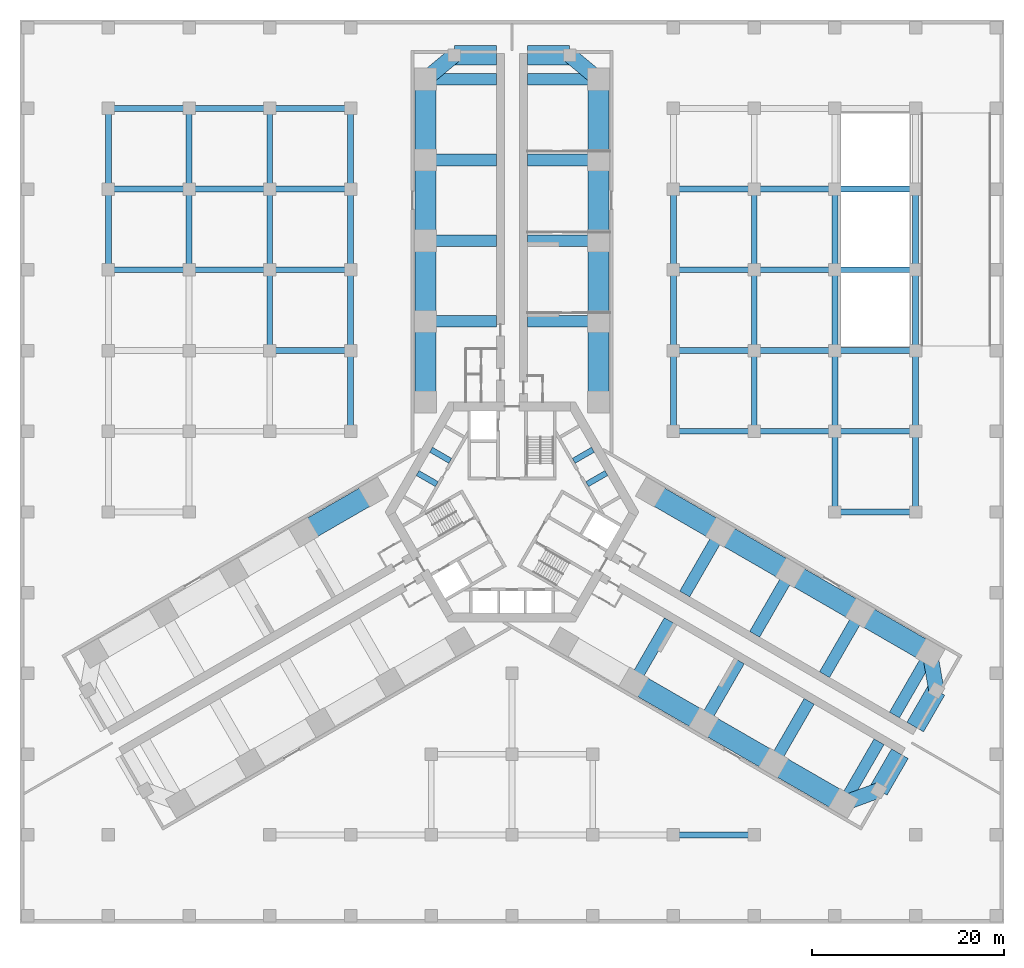
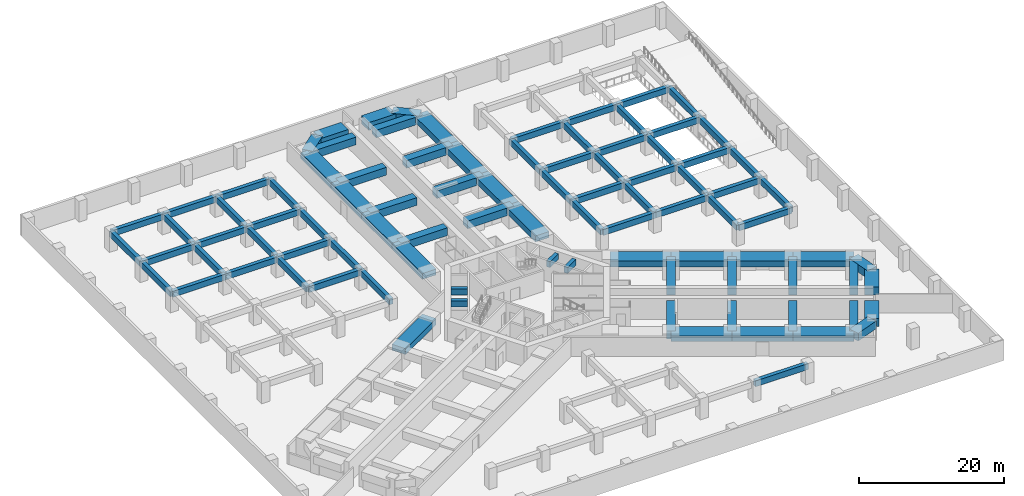
# One storey, part 2 of 11: 93 beams.
"""IFC4 building model written with IfcOpenShell, lengths in metres."""

from ifc_helpers import new_model, si_unit, direction, frame, origin, origin_2d, place, context, subcontext, project, spatial, rectangle, extrude, material, material_profile, profile_set, type_object, element, save


model = new_model("IFC4")

# Units and contexts
model_context = context("Model", 3, precision=1e-05, world=origin(), true_north=direction((0.0, 1.0)))
body_context = subcontext(model_context, "Body", "Model", "MODEL_VIEW")
ifc_project = project(units=[si_unit("LENGTHUNIT", "METRE"), si_unit("AREAUNIT", "SQUARE_METRE"), si_unit("VOLUMEUNIT", "CUBIC_METRE"), si_unit("PLANEANGLEUNIT", "RADIAN"), si_unit("MASSUNIT", "GRAM", prefix="KILO")], contexts=[model_context])

# Site, building, storey
site_placement = place(None, origin())
site = spatial("IfcSite", under=ifc_project, at=site_placement, CompositionType="ELEMENT")
building_placement = place(site_placement, origin())
building = spatial("IfcBuilding", under=site, at=building_placement, Name="Impinga Residences", CompositionType="ELEMENT")
storey_placement = place(building_placement, frame((0.0, 0.0, -7.0)))
storey = spatial("IfcBuildingStorey", under=building, at=storey_placement, Name="B2", CompositionType="ELEMENT", Elevation=-7.0)

# Beams
ifc_material = material(Name="Concrete C60/75", Category="concrete")
ifc_material_profile_1 = material_profile(ifc_material, rectangle(XDim=1.60009765625, YDim=1.300048828125, at=origin_2d()), Name="RC 1600x1300")
ifc_profile_set_1 = profile_set([ifc_material_profile_1], Name="Concrete C60/75")
beam_type_1 = type_object("IfcBeamType", Name="CB4 1600x1300 wing end beam to the wing-tip prop", PredefinedType="BEAM", material=ifc_profile_set_1)
for number, where, z_axis, x_axis, name in (
    (1, (-9.0, 45.031494140625, 2.550048828125), (0.768221279597, 0.640184399664, 0.0), (-0.640184399664, 0.768221279597, 0.0), "Beam CB4 NB N5-NX level B1"),
    (2, (9.0, 45.031494140625, 2.550048828125), (-0.768221279597, 0.640184399664, 0.0), (-0.640184399664, -0.768221279597, 0.0), "Beam CB4 NE N5-NX level B1"),
):
    element("IfcBeam", number, at=place(storey_placement, frame(where, z_axis=z_axis, x_axis=x_axis)), inside=storey, type_object=beam_type_1, Name=name, PredefinedType="BEAM", context=body_context, shape_type="SweptSolid", body=[
        extrude(rectangle(XDim=1.60009765625, YDim=1.300048828125, at=origin_2d()), origin(), (0.0, 0.0, 1.0), 3.905029296875),
    ])
beam_1_placement = place(storey_placement, frame((43.49853515625, -14.721435546875, 2.550048828125), z_axis=(0.170296298948, -0.985392901621, 0.0), x_axis=(0.985392901621, 0.170296298948, 0.0)))
element("IfcBeam", 3, at=beam_1_placement, inside=storey, type_object=beam_type_1, Name="Beam CB4 EB E5-EX level B1", PredefinedType="BEAM", context=body_context, shape_type="SweptSolid", body=[
    extrude(rectangle(XDim=1.60009765625, YDim=1.300048828125, at=origin_2d()), origin(), (0.0, 0.0, 1.0), 3.9052734375),
])
beam_2_placement = place(storey_placement, frame((34.49853515625, -30.31005859375, 2.550048828125), z_axis=(0.938520178725, 0.345224382289, 0.0), x_axis=(-0.345224382289, 0.938520178725, 0.0)))
element("IfcBeam", 4, at=beam_2_placement, inside=storey, type_object=beam_type_1, Name="Beam CB4 EE E5-EX level B1", PredefinedType="BEAM", context=body_context, shape_type="SweptSolid", body=[
    extrude(rectangle(XDim=1.60009765625, YDim=1.300048828125, at=origin_2d()), origin(), (0.0, 0.0, 1.0), 3.905029296875),
])
ifc_material_profile_2 = material_profile(ifc_material, rectangle(XDim=1.199951171875, YDim=1.300048828125, at=origin_2d()), Name="RC 1200x1300")
ifc_profile_set_2 = profile_set([ifc_material_profile_2], Name="Concrete C60/75")
beam_type_2 = type_object("IfcBeamType", Name="CG2 1200x1300 cross girder on a wing bay line", PredefinedType="BEAM", material=ifc_profile_set_2)
for number, where, z_axis, x_axis, name in (
    (5, (-1.60009765625, 19.83154296875, 2.550048828125), (-1.0, 0.0, 0.0), (0.0, -1.0, 0.0), "Beam CG2 N2 NC/NA level B1"),
    (6, (-1.60009765625, 28.2314453125, 2.550048828125), (-1.0, 0.0, 0.0), (0.0, -1.0, 0.0), "Beam CG2 N3 NC/NA level B1"),
    (7, (-1.60009765625, 36.631591796875, 2.550048828125), (-1.0, 0.0, 0.0), (0.0, -1.0, 0.0), "Beam CG2 N4 NC/NA level B1"),
    (8, (-1.60009765625, 45.031494140625, 2.550048828125), (-1.0, 0.0, 0.0), (0.0, -1.0, 0.0), "Beam CG2 N5 NC/NA level B1"),
    (9, (1.60009765625, 19.83154296875, 2.550048828125), (1.0, 0.0, 0.0), (0.0, 1.0, 0.0), "Beam CG2 N2 NC/NF level B1"),
    (10, (1.60009765625, 28.2314453125, 2.550048828125), (1.0, 0.0, 0.0), (0.0, 1.0, 0.0), "Beam CG2 N3 NC/NF level B1"),
    (11, (1.60009765625, 36.631591796875, 2.550048828125), (1.0, 0.0, 0.0), (0.0, 1.0, 0.0), "Beam CG2 N4 NC/NF level B1"),
    (12, (1.60009765625, 45.031494140625, 2.550048828125), (1.0, 0.0, 0.0), (0.0, 1.0, 0.0), "Beam CG2 N5 NC/NF level B1"),
    (13, (17.974609375, -8.530029296875, 2.550048828125), (0.500003285667, 0.866023506795, 0.0), (-0.866023506795, 0.500003285667, 0.0), "Beam CG2 E2 EC/EA level B1"),
):
    element("IfcBeam", number, at=place(storey_placement, frame(where, z_axis=z_axis, x_axis=x_axis)), inside=storey, type_object=beam_type_2, Name=name, PredefinedType="BEAM", context=body_context, shape_type="SweptSolid", body=[
        extrude(rectangle(XDim=1.199951171875, YDim=1.300048828125, at=origin_2d()), origin(), (0.0, 0.0, 1.0), 7.39990234375),
    ])
for number, where, z_axis, x_axis, name in (
    (14, (25.249267578125, -12.730224609375, 2.550048828125), (0.499988999718, 0.866031754707, 0.0), (-0.866031754707, 0.499988999718, 0.0), "Beam CG2 E3 EC/EA level B1"),
    (15, (32.52392578125, -16.93017578125, 2.550048828125), (0.499988999718, 0.866031754707, 0.0), (-0.866031754707, 0.499988999718, 0.0), "Beam CG2 E4 EC/EA level B1"),
    (16, (39.79833984375, -21.130126953125, 2.550048828125), (0.500013743233, 0.86601746898, 0.0), (-0.86601746898, 0.500013743233, 0.0), "Beam CG2 E5 EC/EA level B1"),
):
    element("IfcBeam", number, at=place(storey_placement, frame(where, z_axis=z_axis, x_axis=x_axis)), inside=storey, type_object=beam_type_2, Name=name, PredefinedType="BEAM", context=body_context, shape_type="SweptSolid", body=[
        extrude(rectangle(XDim=1.199951171875, YDim=1.300048828125, at=origin_2d()), origin(), (0.0, 0.0, 1.0), 7.400146484375),
    ])
for number, where, z_axis, x_axis, name in (
    (17, (16.37451171875, -11.301513671875, 2.550048828125), (-0.500003285667, -0.866023506795, 0.0), (0.866023506795, -0.500003285667, 0.0), "Beam CG2 E2 EC/EF level B1"),
    (18, (23.649169921875, -15.50146484375, 2.550048828125), (-0.500003285667, -0.866023506795, 0.0), (0.866023506795, -0.500003285667, 0.0), "Beam CG2 E3 EC/EF level B1"),
):
    element("IfcBeam", number, at=place(storey_placement, frame(where, z_axis=z_axis, x_axis=x_axis)), inside=storey, type_object=beam_type_2, Name=name, PredefinedType="BEAM", context=body_context, shape_type="SweptSolid", body=[
        extrude(rectangle(XDim=1.199951171875, YDim=1.300048828125, at=origin_2d()), origin(), (0.0, 0.0, 1.0), 7.39990234375),
    ])
for number, where, z_axis, x_axis, name in (
    (19, (30.923828125, -19.701416015625, 2.550048828125), (-0.499988999718, -0.866031754707, 0.0), (0.866031754707, -0.499988999718, 0.0), "Beam CG2 E4 EC/EF level B1"),
    (20, (38.198486328125, -23.9013671875, 2.550048828125), (-0.499988999718, -0.866031754707, 0.0), (0.866031754707, -0.499988999718, 0.0), "Beam CG2 E5 EC/EF level B1"),
):
    element("IfcBeam", number, at=place(storey_placement, frame(where, z_axis=z_axis, x_axis=x_axis)), inside=storey, type_object=beam_type_2, Name=name, PredefinedType="BEAM", context=body_context, shape_type="SweptSolid", body=[
        extrude(rectangle(XDim=1.199951171875, YDim=1.300048828125, at=origin_2d()), origin(), (0.0, 0.0, 1.0), 7.400146484375),
    ])
ifc_material_profile_3 = material_profile(ifc_material, rectangle(XDim=2.0, YDim=1.300048828125, at=origin_2d()), Name="RC 2000x1300")
ifc_profile_set_3 = profile_set([ifc_material_profile_3], Name="Concrete C60/75")
beam_type_3 = type_object("IfcBeamType", Name="EB4 2000x1300 wing end beam", PredefinedType="BEAM", material=ifc_profile_set_3)
for number, where, z_axis, x_axis, name in (
    (21, (-6.0, 47.531494140625, 2.550048828125), (1.0, 0.0, 0.0), (0.0, 1.0, 0.0), "Beam EB4 NX4 level B1"),
    (22, (1.60009765625, 47.531494140625, 2.550048828125), (1.0, 0.0, 0.0), (0.0, 1.0, 0.0), "Beam EB4 NX4 level B1"),
    (23, (44.16357421875, -18.569580078125, 2.550048828125), (-0.499988222896, -0.866032203192, 0.0), (0.866032203192, -0.499988222896, 0.0), "Beam EB4 EX4 level B1"),
    (24, (40.363525390625, -25.1513671875, 2.550048828125), (-0.499988222896, -0.866032203192, 0.0), (0.866032203192, -0.499988222896, 0.0), "Beam EB4 EX4 level B1"),
):
    element("IfcBeam", number, at=place(storey_placement, frame(where, z_axis=z_axis, x_axis=x_axis)), inside=storey, type_object=beam_type_3, Name=name, PredefinedType="BEAM", context=body_context, shape_type="SweptSolid", body=[
        extrude(rectangle(XDim=2.0, YDim=1.300048828125, at=origin_2d()), origin(), (0.0, 0.0, 1.0), 4.39990234375),
    ])
ifc_material_profile_4 = material_profile(ifc_material, rectangle(XDim=0.60009765625, YDim=1.0, at=origin_2d()), Name="RC 600x1000")
ifc_profile_set_4 = profile_set([ifc_material_profile_4], Name="Concrete C60/75")
beam_type_4 = type_object("IfcBeamType", Name="PB1 600x1000 basement and ground floor beam", PredefinedType="BEAM", material=ifc_profile_set_4)
for number, where, z_axis, x_axis, name in (
    (25, (16.800048828125, -33.60009765625, 2.699951171875), (1.0, 0.0, 0.0), (0.0, 1.0, 0.0), "Beam PB1 B/9-10 level B1"),
    (26, (33.60009765625, 0.0, 2.699951171875), (1.0, 0.0, 0.0), (0.0, 1.0, 0.0), "Beam PB1 F/11-12 level B1"),
    (27, (16.800048828125, 8.39990234375, 2.699951171875), (1.0, 0.0, 0.0), (0.0, 1.0, 0.0), "Beam PB1 G/9-10 level B1"),
):
    element("IfcBeam", number, at=place(storey_placement, frame(where, z_axis=z_axis, x_axis=x_axis)), inside=storey, type_object=beam_type_4, Name=name, PredefinedType="BEAM", context=body_context, shape_type="SweptSolid", body=[
        extrude(rectangle(XDim=0.60009765625, YDim=1.0, at=origin_2d()), origin(), (0.0, 0.0, 1.0), 8.39990234375),
    ])
beam_3_placement = place(storey_placement, frame((25.199951171875, 8.39990234375, 2.699951171875), z_axis=(1.0, 0.0, 0.0), x_axis=(0.0, 1.0, 0.0)))
element("IfcBeam", 28, at=beam_3_placement, inside=storey, type_object=beam_type_4, Name="Beam PB1 G/10-11 level B1", PredefinedType="BEAM", context=body_context, shape_type="SweptSolid", body=[
    extrude(rectangle(XDim=0.60009765625, YDim=1.0, at=origin_2d()), origin(), (0.0, 0.0, 1.0), 8.400146484375),
])
for number, where, z_axis, x_axis, name in (
    (29, (33.60009765625, 8.39990234375, 2.699951171875), (1.0, 0.0, 0.0), (0.0, 1.0, 0.0), "Beam PB1 G/11-12 level B1"),
    (30, (-25.199951171875, 16.800048828125, 2.699951171875), (1.0, 0.0, 0.0), (0.0, 1.0, 0.0), "Beam PB1 H/4-5 level B1"),
    (31, (16.800048828125, 16.800048828125, 2.699951171875), (1.0, 0.0, 0.0), (0.0, 1.0, 0.0), "Beam PB1 H/9-10 level B1"),
):
    element("IfcBeam", number, at=place(storey_placement, frame(where, z_axis=z_axis, x_axis=x_axis)), inside=storey, type_object=beam_type_4, Name=name, PredefinedType="BEAM", context=body_context, shape_type="SweptSolid", body=[
        extrude(rectangle(XDim=0.60009765625, YDim=1.0, at=origin_2d()), origin(), (0.0, 0.0, 1.0), 8.39990234375),
    ])
beam_4_placement = place(storey_placement, frame((25.199951171875, 16.800048828125, 2.699951171875), z_axis=(1.0, 0.0, 0.0), x_axis=(0.0, 1.0, 0.0)))
element("IfcBeam", 32, at=beam_4_placement, inside=storey, type_object=beam_type_4, Name="Beam PB1 H/10-11 level B1", PredefinedType="BEAM", context=body_context, shape_type="SweptSolid", body=[
    extrude(rectangle(XDim=0.60009765625, YDim=1.0, at=origin_2d()), origin(), (0.0, 0.0, 1.0), 8.400146484375),
])
for number, where, z_axis, x_axis, name in (
    (33, (33.60009765625, 16.800048828125, 2.699951171875), (1.0, 0.0, 0.0), (0.0, 1.0, 0.0), "Beam PB1 H/11-12 level B1"),
    (34, (-42.0, 25.199951171875, 2.699951171875), (1.0, 0.0, 0.0), (0.0, 1.0, 0.0), "Beam PB1 J/2-3 level B1"),
):
    element("IfcBeam", number, at=place(storey_placement, frame(where, z_axis=z_axis, x_axis=x_axis)), inside=storey, type_object=beam_type_4, Name=name, PredefinedType="BEAM", context=body_context, shape_type="SweptSolid", body=[
        extrude(rectangle(XDim=0.60009765625, YDim=1.0, at=origin_2d()), origin(), (0.0, 0.0, 1.0), 8.39990234375),
    ])
beam_5_placement = place(storey_placement, frame((-33.60009765625, 25.199951171875, 2.699951171875), z_axis=(1.0, 0.0, 0.0), x_axis=(0.0, 1.0, 0.0)))
element("IfcBeam", 35, at=beam_5_placement, inside=storey, type_object=beam_type_4, Name="Beam PB1 J/3-4 level B1", PredefinedType="BEAM", context=body_context, shape_type="SweptSolid", body=[
    extrude(rectangle(XDim=0.60009765625, YDim=1.0, at=origin_2d()), origin(), (0.0, 0.0, 1.0), 8.400146484375),
])
for number, where, z_axis, x_axis, name in (
    (36, (-25.199951171875, 25.199951171875, 2.699951171875), (1.0, 0.0, 0.0), (0.0, 1.0, 0.0), "Beam PB1 J/4-5 level B1"),
    (37, (16.800048828125, 25.199951171875, 2.699951171875), (1.0, 0.0, 0.0), (0.0, 1.0, 0.0), "Beam PB1 J/9-10 level B1"),
):
    element("IfcBeam", number, at=place(storey_placement, frame(where, z_axis=z_axis, x_axis=x_axis)), inside=storey, type_object=beam_type_4, Name=name, PredefinedType="BEAM", context=body_context, shape_type="SweptSolid", body=[
        extrude(rectangle(XDim=0.60009765625, YDim=1.0, at=origin_2d()), origin(), (0.0, 0.0, 1.0), 8.39990234375),
    ])
beam_6_placement = place(storey_placement, frame((25.199951171875, 25.199951171875, 2.699951171875), z_axis=(1.0, 0.0, 0.0), x_axis=(0.0, 1.0, 0.0)))
element("IfcBeam", 38, at=beam_6_placement, inside=storey, type_object=beam_type_4, Name="Beam PB1 J/10-11 level B1", PredefinedType="BEAM", context=body_context, shape_type="SweptSolid", body=[
    extrude(rectangle(XDim=0.60009765625, YDim=1.0, at=origin_2d()), origin(), (0.0, 0.0, 1.0), 8.400146484375),
])
for number, where, z_axis, x_axis, name in (
    (39, (33.60009765625, 25.199951171875, 2.699951171875), (1.0, 0.0, 0.0), (0.0, 1.0, 0.0), "Beam PB1 J/11-12 level B1"),
    (40, (-42.0, 33.60009765625, 2.699951171875), (1.0, 0.0, 0.0), (0.0, 1.0, 0.0), "Beam PB1 K/2-3 level B1"),
):
    element("IfcBeam", number, at=place(storey_placement, frame(where, z_axis=z_axis, x_axis=x_axis)), inside=storey, type_object=beam_type_4, Name=name, PredefinedType="BEAM", context=body_context, shape_type="SweptSolid", body=[
        extrude(rectangle(XDim=0.60009765625, YDim=1.0, at=origin_2d()), origin(), (0.0, 0.0, 1.0), 8.39990234375),
    ])
beam_7_placement = place(storey_placement, frame((-33.60009765625, 33.60009765625, 2.699951171875), z_axis=(1.0, 0.0, 0.0), x_axis=(0.0, 1.0, 0.0)))
element("IfcBeam", 41, at=beam_7_placement, inside=storey, type_object=beam_type_4, Name="Beam PB1 K/3-4 level B1", PredefinedType="BEAM", context=body_context, shape_type="SweptSolid", body=[
    extrude(rectangle(XDim=0.60009765625, YDim=1.0, at=origin_2d()), origin(), (0.0, 0.0, 1.0), 8.400146484375),
])
for number, where, z_axis, x_axis, name in (
    (42, (-25.199951171875, 33.60009765625, 2.699951171875), (1.0, 0.0, 0.0), (0.0, 1.0, 0.0), "Beam PB1 K/4-5 level B1"),
    (43, (16.800048828125, 33.60009765625, 2.699951171875), (1.0, 0.0, 0.0), (0.0, 1.0, 0.0), "Beam PB1 K/9-10 level B1"),
):
    element("IfcBeam", number, at=place(storey_placement, frame(where, z_axis=z_axis, x_axis=x_axis)), inside=storey, type_object=beam_type_4, Name=name, PredefinedType="BEAM", context=body_context, shape_type="SweptSolid", body=[
        extrude(rectangle(XDim=0.60009765625, YDim=1.0, at=origin_2d()), origin(), (0.0, 0.0, 1.0), 8.39990234375),
    ])
beam_8_placement = place(storey_placement, frame((25.199951171875, 33.60009765625, 2.699951171875), z_axis=(1.0, 0.0, 0.0), x_axis=(0.0, 1.0, 0.0)))
element("IfcBeam", 44, at=beam_8_placement, inside=storey, type_object=beam_type_4, Name="Beam PB1 K/10-11 level B1", PredefinedType="BEAM", context=body_context, shape_type="SweptSolid", body=[
    extrude(rectangle(XDim=0.60009765625, YDim=1.0, at=origin_2d()), origin(), (0.0, 0.0, 1.0), 8.400146484375),
])
for number, where, z_axis, x_axis, name in (
    (45, (33.60009765625, 33.60009765625, 2.699951171875), (1.0, 0.0, 0.0), (0.0, 1.0, 0.0), "Beam PB1 K/11-12 level B1"),
    (46, (-42.0, 42.0, 2.699951171875), (1.0, 0.0, 0.0), (0.0, 1.0, 0.0), "Beam PB1 L/2-3 level B1"),
):
    element("IfcBeam", number, at=place(storey_placement, frame(where, z_axis=z_axis, x_axis=x_axis)), inside=storey, type_object=beam_type_4, Name=name, PredefinedType="BEAM", context=body_context, shape_type="SweptSolid", body=[
        extrude(rectangle(XDim=0.60009765625, YDim=1.0, at=origin_2d()), origin(), (0.0, 0.0, 1.0), 8.39990234375),
    ])
beam_9_placement = place(storey_placement, frame((-33.60009765625, 42.0, 2.699951171875), z_axis=(1.0, 0.0, 0.0), x_axis=(0.0, 1.0, 0.0)))
element("IfcBeam", 47, at=beam_9_placement, inside=storey, type_object=beam_type_4, Name="Beam PB1 L/3-4 level B1", PredefinedType="BEAM", context=body_context, shape_type="SweptSolid", body=[
    extrude(rectangle(XDim=0.60009765625, YDim=1.0, at=origin_2d()), origin(), (0.0, 0.0, 1.0), 8.400146484375),
])
beam_10_placement = place(storey_placement, frame((-25.199951171875, 42.0, 2.699951171875), z_axis=(1.0, 0.0, 0.0), x_axis=(0.0, 1.0, 0.0)))
element("IfcBeam", 48, at=beam_10_placement, inside=storey, type_object=beam_type_4, Name="Beam PB1 L/4-5 level B1", PredefinedType="BEAM", context=body_context, shape_type="SweptSolid", body=[
    extrude(rectangle(XDim=0.60009765625, YDim=1.0, at=origin_2d()), origin(), (0.0, 0.0, 1.0), 8.39990234375),
])
beam_11_placement = place(storey_placement, frame((-42.0, 25.199951171875, 2.699951171875), z_axis=(0.0, 1.0, 0.0), x_axis=(-1.0, 0.0, 0.0)))
element("IfcBeam", 49, at=beam_11_placement, inside=storey, type_object=beam_type_4, Name="Beam PB1 2/J-K level B1", PredefinedType="BEAM", context=body_context, shape_type="SweptSolid", body=[
    extrude(rectangle(XDim=0.60009765625, YDim=1.0, at=origin_2d()), origin(), (0.0, 0.0, 1.0), 8.400146484375),
])
beam_12_placement = place(storey_placement, frame((-42.0, 33.60009765625, 2.699951171875), z_axis=(0.0, 1.0, 0.0), x_axis=(-1.0, 0.0, 0.0)))
element("IfcBeam", 50, at=beam_12_placement, inside=storey, type_object=beam_type_4, Name="Beam PB1 2/K-L level B1", PredefinedType="BEAM", context=body_context, shape_type="SweptSolid", body=[
    extrude(rectangle(XDim=0.60009765625, YDim=1.0, at=origin_2d()), origin(), (0.0, 0.0, 1.0), 8.39990234375),
])
beam_13_placement = place(storey_placement, frame((-33.60009765625, 25.199951171875, 2.699951171875), z_axis=(0.0, 1.0, 0.0), x_axis=(-1.0, 0.0, 0.0)))
element("IfcBeam", 51, at=beam_13_placement, inside=storey, type_object=beam_type_4, Name="Beam PB1 3/J-K level B1", PredefinedType="BEAM", context=body_context, shape_type="SweptSolid", body=[
    extrude(rectangle(XDim=0.60009765625, YDim=1.0, at=origin_2d()), origin(), (0.0, 0.0, 1.0), 8.400146484375),
])
for number, where, z_axis, x_axis, name in (
    (52, (-33.60009765625, 33.60009765625, 2.699951171875), (0.0, 1.0, 0.0), (-1.0, 0.0, 0.0), "Beam PB1 3/K-L level B1"),
    (53, (-25.199951171875, 16.800048828125, 2.699951171875), (0.0, 1.0, 0.0), (-1.0, 0.0, 0.0), "Beam PB1 4/H-J level B1"),
):
    element("IfcBeam", number, at=place(storey_placement, frame(where, z_axis=z_axis, x_axis=x_axis)), inside=storey, type_object=beam_type_4, Name=name, PredefinedType="BEAM", context=body_context, shape_type="SweptSolid", body=[
        extrude(rectangle(XDim=0.60009765625, YDim=1.0, at=origin_2d()), origin(), (0.0, 0.0, 1.0), 8.39990234375),
    ])
beam_14_placement = place(storey_placement, frame((-25.199951171875, 25.199951171875, 2.699951171875), z_axis=(0.0, 1.0, 0.0), x_axis=(-1.0, 0.0, 0.0)))
element("IfcBeam", 54, at=beam_14_placement, inside=storey, type_object=beam_type_4, Name="Beam PB1 4/J-K level B1", PredefinedType="BEAM", context=body_context, shape_type="SweptSolid", body=[
    extrude(rectangle(XDim=0.60009765625, YDim=1.0, at=origin_2d()), origin(), (0.0, 0.0, 1.0), 8.400146484375),
])
beam_15_placement = place(storey_placement, frame((-25.199951171875, 33.60009765625, 2.699951171875), z_axis=(0.0, 1.0, 0.0), x_axis=(-1.0, 0.0, 0.0)))
element("IfcBeam", 55, at=beam_15_placement, inside=storey, type_object=beam_type_4, Name="Beam PB1 4/K-L level B1", PredefinedType="BEAM", context=body_context, shape_type="SweptSolid", body=[
    extrude(rectangle(XDim=0.60009765625, YDim=1.0, at=origin_2d()), origin(), (0.0, 0.0, 1.0), 8.39990234375),
])
beam_16_placement = place(storey_placement, frame((-16.800048828125, 8.39990234375, 2.699951171875), z_axis=(0.0, 1.0, 0.0), x_axis=(-1.0, 0.0, 0.0)))
element("IfcBeam", 56, at=beam_16_placement, inside=storey, type_object=beam_type_4, Name="Beam PB1 5/G-H level B1", PredefinedType="BEAM", context=body_context, shape_type="SweptSolid", body=[
    extrude(rectangle(XDim=0.60009765625, YDim=1.0, at=origin_2d()), origin(), (0.0, 0.0, 1.0), 8.400146484375),
])
beam_17_placement = place(storey_placement, frame((-16.800048828125, 16.800048828125, 2.699951171875), z_axis=(0.0, 1.0, 0.0), x_axis=(-1.0, 0.0, 0.0)))
element("IfcBeam", 57, at=beam_17_placement, inside=storey, type_object=beam_type_4, Name="Beam PB1 5/H-J level B1", PredefinedType="BEAM", context=body_context, shape_type="SweptSolid", body=[
    extrude(rectangle(XDim=0.60009765625, YDim=1.0, at=origin_2d()), origin(), (0.0, 0.0, 1.0), 8.39990234375),
])
beam_18_placement = place(storey_placement, frame((-16.800048828125, 25.199951171875, 2.699951171875), z_axis=(0.0, 1.0, 0.0), x_axis=(-1.0, 0.0, 0.0)))
element("IfcBeam", 58, at=beam_18_placement, inside=storey, type_object=beam_type_4, Name="Beam PB1 5/J-K level B1", PredefinedType="BEAM", context=body_context, shape_type="SweptSolid", body=[
    extrude(rectangle(XDim=0.60009765625, YDim=1.0, at=origin_2d()), origin(), (0.0, 0.0, 1.0), 8.400146484375),
])
beam_19_placement = place(storey_placement, frame((-16.800048828125, 33.60009765625, 2.699951171875), z_axis=(0.0, 1.0, 0.0), x_axis=(-1.0, 0.0, 0.0)))
element("IfcBeam", 59, at=beam_19_placement, inside=storey, type_object=beam_type_4, Name="Beam PB1 5/K-L level B1", PredefinedType="BEAM", context=body_context, shape_type="SweptSolid", body=[
    extrude(rectangle(XDim=0.60009765625, YDim=1.0, at=origin_2d()), origin(), (0.0, 0.0, 1.0), 8.39990234375),
])
beam_20_placement = place(storey_placement, frame((16.800048828125, 8.39990234375, 2.699951171875), z_axis=(0.0, 1.0, 0.0), x_axis=(-1.0, 0.0, 0.0)))
element("IfcBeam", 60, at=beam_20_placement, inside=storey, type_object=beam_type_4, Name="Beam PB1 9/G-H level B1", PredefinedType="BEAM", context=body_context, shape_type="SweptSolid", body=[
    extrude(rectangle(XDim=0.60009765625, YDim=1.0, at=origin_2d()), origin(), (0.0, 0.0, 1.0), 8.400146484375),
])
beam_21_placement = place(storey_placement, frame((16.800048828125, 16.800048828125, 2.699951171875), z_axis=(0.0, 1.0, 0.0), x_axis=(-1.0, 0.0, 0.0)))
element("IfcBeam", 61, at=beam_21_placement, inside=storey, type_object=beam_type_4, Name="Beam PB1 9/H-J level B1", PredefinedType="BEAM", context=body_context, shape_type="SweptSolid", body=[
    extrude(rectangle(XDim=0.60009765625, YDim=1.0, at=origin_2d()), origin(), (0.0, 0.0, 1.0), 8.39990234375),
])
for number, where, z_axis, x_axis, name in (
    (62, (16.800048828125, 25.199951171875, 2.699951171875), (0.0, 1.0, 0.0), (-1.0, 0.0, 0.0), "Beam PB1 9/J-K level B1"),
    (63, (25.199951171875, 8.39990234375, 2.699951171875), (0.0, 1.0, 0.0), (-1.0, 0.0, 0.0), "Beam PB1 10/G-H level B1"),
):
    element("IfcBeam", number, at=place(storey_placement, frame(where, z_axis=z_axis, x_axis=x_axis)), inside=storey, type_object=beam_type_4, Name=name, PredefinedType="BEAM", context=body_context, shape_type="SweptSolid", body=[
        extrude(rectangle(XDim=0.60009765625, YDim=1.0, at=origin_2d()), origin(), (0.0, 0.0, 1.0), 8.400146484375),
    ])
beam_22_placement = place(storey_placement, frame((25.199951171875, 16.800048828125, 2.699951171875), z_axis=(0.0, 1.0, 0.0), x_axis=(-1.0, 0.0, 0.0)))
element("IfcBeam", 64, at=beam_22_placement, inside=storey, type_object=beam_type_4, Name="Beam PB1 10/H-J level B1", PredefinedType="BEAM", context=body_context, shape_type="SweptSolid", body=[
    extrude(rectangle(XDim=0.60009765625, YDim=1.0, at=origin_2d()), origin(), (0.0, 0.0, 1.0), 8.39990234375),
])
beam_23_placement = place(storey_placement, frame((25.199951171875, 25.199951171875, 2.699951171875), z_axis=(0.0, 1.0, 0.0), x_axis=(-1.0, 0.0, 0.0)))
element("IfcBeam", 65, at=beam_23_placement, inside=storey, type_object=beam_type_4, Name="Beam PB1 10/J-K level B1", PredefinedType="BEAM", context=body_context, shape_type="SweptSolid", body=[
    extrude(rectangle(XDim=0.60009765625, YDim=1.0, at=origin_2d()), origin(), (0.0, 0.0, 1.0), 8.400146484375),
])
beam_24_placement = place(storey_placement, frame((33.60009765625, 0.0, 2.699951171875), z_axis=(0.0, 1.0, 0.0), x_axis=(-1.0, 0.0, 0.0)))
element("IfcBeam", 66, at=beam_24_placement, inside=storey, type_object=beam_type_4, Name="Beam PB1 11/F-G level B1", PredefinedType="BEAM", context=body_context, shape_type="SweptSolid", body=[
    extrude(rectangle(XDim=0.60009765625, YDim=1.0, at=origin_2d()), origin(), (0.0, 0.0, 1.0), 8.39990234375),
])
beam_25_placement = place(storey_placement, frame((33.60009765625, 8.39990234375, 2.699951171875), z_axis=(0.0, 1.0, 0.0), x_axis=(-1.0, 0.0, 0.0)))
element("IfcBeam", 67, at=beam_25_placement, inside=storey, type_object=beam_type_4, Name="Beam PB1 11/G-H level B1", PredefinedType="BEAM", context=body_context, shape_type="SweptSolid", body=[
    extrude(rectangle(XDim=0.60009765625, YDim=1.0, at=origin_2d()), origin(), (0.0, 0.0, 1.0), 8.400146484375),
])
beam_26_placement = place(storey_placement, frame((33.60009765625, 16.800048828125, 2.699951171875), z_axis=(0.0, 1.0, 0.0), x_axis=(-1.0, 0.0, 0.0)))
element("IfcBeam", 68, at=beam_26_placement, inside=storey, type_object=beam_type_4, Name="Beam PB1 11/H-J level B1", PredefinedType="BEAM", context=body_context, shape_type="SweptSolid", body=[
    extrude(rectangle(XDim=0.60009765625, YDim=1.0, at=origin_2d()), origin(), (0.0, 0.0, 1.0), 8.39990234375),
])
beam_27_placement = place(storey_placement, frame((33.60009765625, 25.199951171875, 2.699951171875), z_axis=(0.0, 1.0, 0.0), x_axis=(-1.0, 0.0, 0.0)))
element("IfcBeam", 69, at=beam_27_placement, inside=storey, type_object=beam_type_4, Name="Beam PB1 11/J-K level B1", PredefinedType="BEAM", context=body_context, shape_type="SweptSolid", body=[
    extrude(rectangle(XDim=0.60009765625, YDim=1.0, at=origin_2d()), origin(), (0.0, 0.0, 1.0), 8.400146484375),
])
beam_28_placement = place(storey_placement, frame((42.0, 0.0, 2.699951171875), z_axis=(0.0, 1.0, 0.0), x_axis=(-1.0, 0.0, 0.0)))
element("IfcBeam", 70, at=beam_28_placement, inside=storey, type_object=beam_type_4, Name="Beam PB1 12/F-G level B1", PredefinedType="BEAM", context=body_context, shape_type="SweptSolid", body=[
    extrude(rectangle(XDim=0.60009765625, YDim=1.0, at=origin_2d()), origin(), (0.0, 0.0, 1.0), 8.39990234375),
])
beam_29_placement = place(storey_placement, frame((42.0, 8.39990234375, 2.699951171875), z_axis=(0.0, 1.0, 0.0), x_axis=(-1.0, 0.0, 0.0)))
element("IfcBeam", 71, at=beam_29_placement, inside=storey, type_object=beam_type_4, Name="Beam PB1 12/G-H level B1", PredefinedType="BEAM", context=body_context, shape_type="SweptSolid", body=[
    extrude(rectangle(XDim=0.60009765625, YDim=1.0, at=origin_2d()), origin(), (0.0, 0.0, 1.0), 8.400146484375),
])
beam_30_placement = place(storey_placement, frame((42.0, 16.800048828125, 2.699951171875), z_axis=(0.0, 1.0, 0.0), x_axis=(-1.0, 0.0, 0.0)))
element("IfcBeam", 72, at=beam_30_placement, inside=storey, type_object=beam_type_4, Name="Beam PB1 12/H-J level B1", PredefinedType="BEAM", context=body_context, shape_type="SweptSolid", body=[
    extrude(rectangle(XDim=0.60009765625, YDim=1.0, at=origin_2d()), origin(), (0.0, 0.0, 1.0), 8.39990234375),
])
beam_31_placement = place(storey_placement, frame((42.0, 25.199951171875, 2.699951171875), z_axis=(0.0, 1.0, 0.0), x_axis=(-1.0, 0.0, 0.0)))
element("IfcBeam", 73, at=beam_31_placement, inside=storey, type_object=beam_type_4, Name="Beam PB1 12/J-K level B1", PredefinedType="BEAM", context=body_context, shape_type="SweptSolid", body=[
    extrude(rectangle(XDim=0.60009765625, YDim=1.0, at=origin_2d()), origin(), (0.0, 0.0, 1.0), 8.400146484375),
])
ifc_material_profile_5 = material_profile(ifc_material, rectangle(XDim=2.199951171875, YDim=1.0, at=origin_2d()), Name="RC 2200x1000")
ifc_profile_set_5 = profile_set([ifc_material_profile_5], Name="Concrete C60/75")
beam_type_5 = type_object("IfcBeamType", Name="PB3 2200x1000 podium band beam", PredefinedType="BEAM", material=ifc_profile_set_5)
for number, where, z_axis, x_axis, name in (
    (74, (-9.0, 11.431640625, 2.699951171875), (0.0, 1.0, 0.0), (-1.0, 0.0, 0.0), "Beam PB3 NA N1-N2 level B1"),
    (75, (-9.0, 19.83154296875, 2.699951171875), (0.0, 1.0, 0.0), (-1.0, 0.0, 0.0), "Beam PB3 NA N2-N3 level B1"),
):
    element("IfcBeam", number, at=place(storey_placement, frame(where, z_axis=z_axis, x_axis=x_axis)), inside=storey, type_object=beam_type_5, Name=name, PredefinedType="BEAM", context=body_context, shape_type="SweptSolid", body=[
        extrude(rectangle(XDim=2.199951171875, YDim=1.0, at=origin_2d()), origin(), (0.0, 0.0, 1.0), 8.39990234375),
    ])
beam_32_placement = place(storey_placement, frame((-9.0, 28.2314453125, 2.699951171875), z_axis=(0.0, 1.0, 0.0), x_axis=(-1.0, 0.0, 0.0)))
element("IfcBeam", 76, at=beam_32_placement, inside=storey, type_object=beam_type_5, Name="Beam PB3 NA N3-N4 level B1", PredefinedType="BEAM", context=body_context, shape_type="SweptSolid", body=[
    extrude(rectangle(XDim=2.199951171875, YDim=1.0, at=origin_2d()), origin(), (0.0, 0.0, 1.0), 8.400146484375),
])
for number, where, z_axis, x_axis, name in (
    (77, (-9.0, 36.631591796875, 2.699951171875), (0.0, 1.0, 0.0), (-1.0, 0.0, 0.0), "Beam PB3 NA N4-N5 level B1"),
    (78, (9.0, 11.431640625, 2.699951171875), (0.0, 1.0, 0.0), (-1.0, 0.0, 0.0), "Beam PB3 NF N1-N2 level B1"),
    (79, (9.0, 19.83154296875, 2.699951171875), (0.0, 1.0, 0.0), (-1.0, 0.0, 0.0), "Beam PB3 NF N2-N3 level B1"),
):
    element("IfcBeam", number, at=place(storey_placement, frame(where, z_axis=z_axis, x_axis=x_axis)), inside=storey, type_object=beam_type_5, Name=name, PredefinedType="BEAM", context=body_context, shape_type="SweptSolid", body=[
        extrude(rectangle(XDim=2.199951171875, YDim=1.0, at=origin_2d()), origin(), (0.0, 0.0, 1.0), 8.39990234375),
    ])
beam_33_placement = place(storey_placement, frame((9.0, 28.2314453125, 2.699951171875), z_axis=(0.0, 1.0, 0.0), x_axis=(-1.0, 0.0, 0.0)))
element("IfcBeam", 80, at=beam_33_placement, inside=storey, type_object=beam_type_5, Name="Beam PB3 NF N3-N4 level B1", PredefinedType="BEAM", context=body_context, shape_type="SweptSolid", body=[
    extrude(rectangle(XDim=2.199951171875, YDim=1.0, at=origin_2d()), origin(), (0.0, 0.0, 1.0), 8.400146484375),
])
for number, where, z_axis, x_axis, name in (
    (81, (9.0, 36.631591796875, 2.699951171875), (0.0, 1.0, 0.0), (-1.0, 0.0, 0.0), "Beam PB3 NF N4-N5 level B1"),
    (82, (-14.39990234375, 2.078369140625, 2.699951171875), (-0.86602925447, -0.499993330357, 0.0), (0.499993330357, -0.86602925447, 0.0), "Beam PB3 WF W1-W2 level B1"),
    (83, (14.39990234375, 2.078369140625, 2.699951171875), (0.86602925447, -0.499993330357, 0.0), (0.499993330357, 0.86602925447, 0.0), "Beam PB3 EA E1-E2 level B1"),
    (84, (21.674560546875, -2.12158203125, 2.699951171875), (0.86602925447, -0.499993330357, 0.0), (0.499993330357, 0.86602925447, 0.0), "Beam PB3 EA E2-E3 level B1"),
    (85, (28.94921875, -6.321533203125, 2.699951171875), (0.86602925447, -0.499993330357, 0.0), (0.499993330357, 0.86602925447, 0.0), "Beam PB3 EA E3-E4 level B1"),
    (86, (36.223876953125, -10.521484375, 2.699951171875), (0.86602925447, -0.499993330357, 0.0), (0.499993330357, 0.86602925447, 0.0), "Beam PB3 EA E4-E5 level B1"),
    (87, (12.674560546875, -17.7099609375, 2.699951171875), (0.86602925447, -0.499993330357, 0.0), (0.499993330357, 0.86602925447, 0.0), "Beam PB3 EF E2-E3 level B1"),
):
    element("IfcBeam", number, at=place(storey_placement, frame(where, z_axis=z_axis, x_axis=x_axis)), inside=storey, type_object=beam_type_5, Name=name, PredefinedType="BEAM", context=body_context, shape_type="SweptSolid", body=[
        extrude(rectangle(XDim=2.199951171875, YDim=1.0, at=origin_2d()), origin(), (0.0, 0.0, 1.0), 8.39990234375),
    ])
beam_34_placement = place(storey_placement, frame((19.94921875, -21.909912109375, 2.699951171875), z_axis=(0.866016669275, -0.500015128309, 0.0), x_axis=(0.500015128309, 0.866016669275, 0.0)))
element("IfcBeam", 88, at=beam_34_placement, inside=storey, type_object=beam_type_5, Name="Beam PB3 EF E3-E4 level B1", PredefinedType="BEAM", context=body_context, shape_type="SweptSolid", body=[
    extrude(rectangle(XDim=2.199951171875, YDim=1.0, at=origin_2d()), origin(), (0.0, 0.0, 1.0), 8.400146484375),
])
beam_35_placement = place(storey_placement, frame((27.223876953125, -26.110107421875, 2.699951171875), z_axis=(0.86602925447, -0.499993330357, 0.0), x_axis=(0.499993330357, 0.86602925447, 0.0)))
element("IfcBeam", 89, at=beam_35_placement, inside=storey, type_object=beam_type_5, Name="Beam PB3 EF E4-E5 level B1", PredefinedType="BEAM", context=body_context, shape_type="SweptSolid", body=[
    extrude(rectangle(XDim=2.199951171875, YDim=1.0, at=origin_2d()), origin(), (0.0, 0.0, 1.0), 8.39990234375),
])
ifc_material_profile_6 = material_profile(ifc_material, rectangle(XDim=0.60009765625, YDim=1.0, at=origin_2d()), Name="RC 600x1000")
ifc_profile_set_6 = profile_set([ifc_material_profile_6], Name="Concrete C60/75")
beam_type_6 = type_object("IfcBeamType", Name="SB2 600x1000 support beam under a stair enclosure or lift divider wall", PredefinedType="BEAM", material=ifc_profile_set_6)
for number, where, z_axis, x_axis, name in (
    (90, (6.4287109375, 5.328125, 2.699951171875), (0.866007057882, 0.500031774688, 0.0), (-0.500031774688, 0.866007057882, 0.0), "Beam SB2 W:BANK-D1 lift divider level B1"),
    (91, (7.82861328125, 2.9033203125, 2.699951171875), (0.866053019151, 0.499952165731, 0.0), (-0.499952165731, 0.866053019151, 0.0), "Beam SB2 W:BANK-D2 lift divider level B1"),
    (92, (-7.82861328125, 2.9033203125, 2.699951171875), (-0.866053019151, 0.499952165731, 0.0), (-0.499952165731, -0.866053019151, 0.0), "Beam SB2 E:BANK-D1 lift divider level B1"),
    (93, (-6.4287109375, 5.328125, 2.699951171875), (-0.866007057882, 0.500031774688, 0.0), (-0.500031774688, -0.866007057882, 0.0), "Beam SB2 E:BANK-D2 lift divider level B1"),
):
    element("IfcBeam", number, at=place(storey_placement, frame(where, z_axis=z_axis, x_axis=x_axis)), inside=storey, type_object=beam_type_6, Name=name, PredefinedType="BEAM", context=body_context, shape_type="SweptSolid", body=[
        extrude(rectangle(XDim=0.60009765625, YDim=1.0, at=origin_2d()), origin(), (0.0, 0.0, 1.0), 2.300048828125),
    ])

save(model, "model.ifc")
